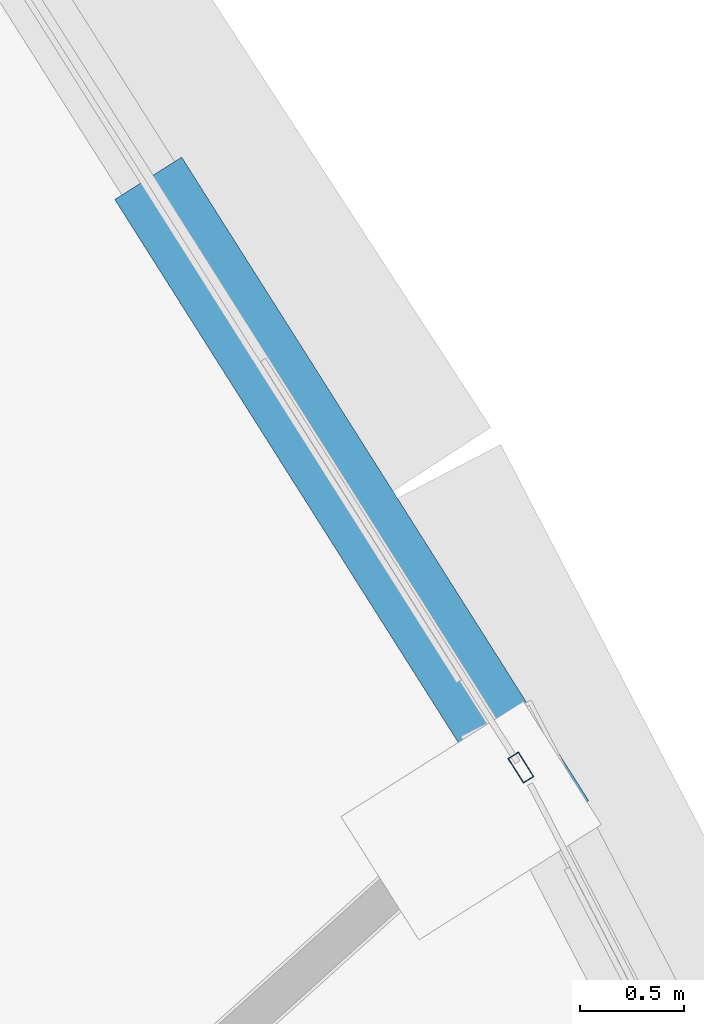
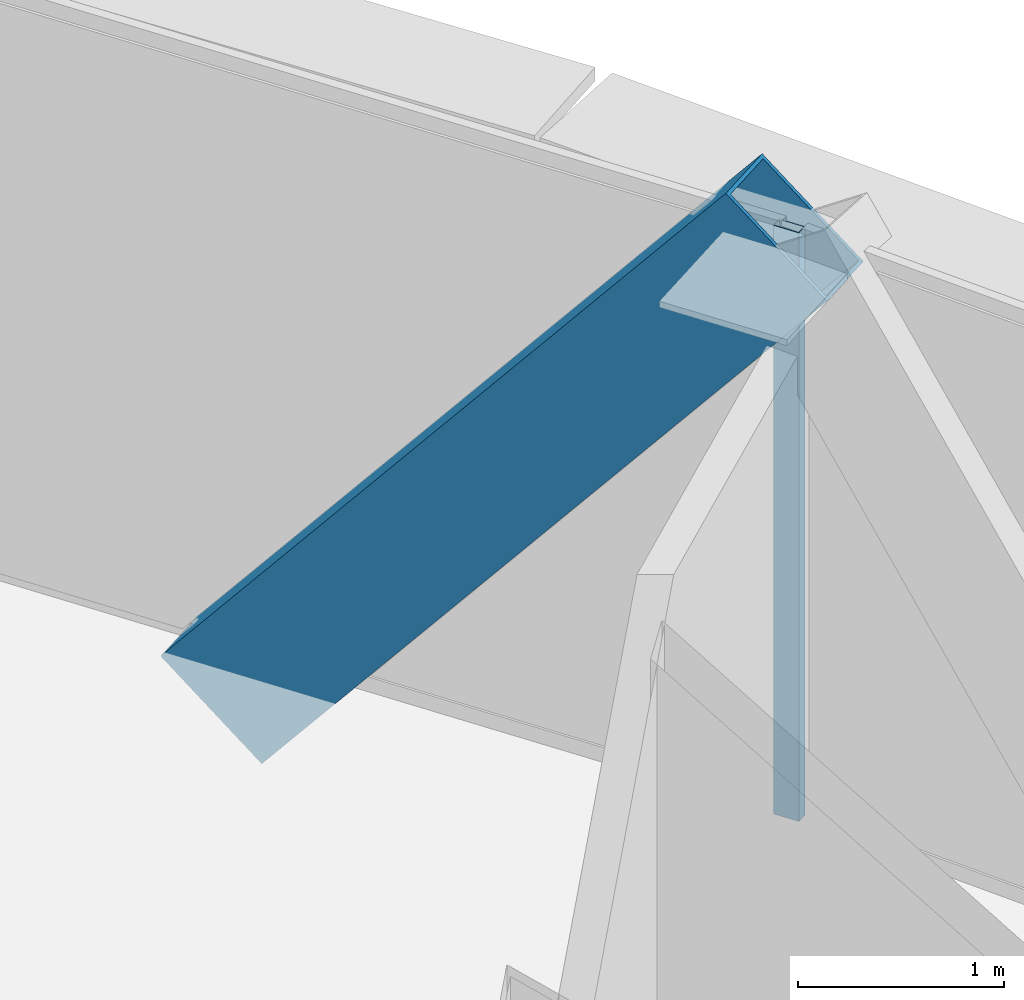
# One storey, part 18 of 34: 2 members, 1 element without a shape of its own.
"""IFC4 building model written with IfcOpenShell, lengths in metres."""

from ifc_helpers import new_model, si_unit, direction, frame, origin, origin_2d, place, context, subcontext, project, spatial, hollow_rectangle, extrude, source, transform, mapped, material, layer, layer_set, material_profile, profile_set, type_object, element, aggregate, save


model = new_model("IFC4")

# Units and contexts
model_context = context("Model", 3, precision=1e-05, world=origin(), true_north=direction((0.0, 1.0)))
body_context = subcontext(model_context, "Body", "Model", "MODEL_VIEW")
ifc_project = project(units=[si_unit("LENGTHUNIT", "METRE"), si_unit("AREAUNIT", "SQUARE_METRE"), si_unit("VOLUMEUNIT", "CUBIC_METRE"), si_unit("PLANEANGLEUNIT", "RADIAN"), si_unit("MASSUNIT", "GRAM", prefix="KILO"), si_unit("THERMODYNAMICTEMPERATUREUNIT", "KELVIN"), si_unit("POWERUNIT", "WATT")], contexts=[model_context])

# Site, building, storey
site_placement = place(None, origin())
site = spatial("IfcSite", under=ifc_project, at=site_placement, CompositionType="ELEMENT")
building_placement = place(site_placement, origin())
building = spatial("IfcBuilding", under=site, at=building_placement, Name="Yunzhuo Pagoda Commons", CompositionType="ELEMENT")
storey_placement = place(building_placement, frame((0.0, 0.0, 333.010009765625)))
storey = spatial("IfcBuildingStorey", under=building, at=storey_placement, Name="L83", CompositionType="ELEMENT", Elevation=333.010009765625)

# Member
ifc_material_1 = material(Name="Structural steel Q355B", Category="steel")
ifc_material_profile_1 = material_profile(ifc_material_1, hollow_rectangle(XDim=0.3798828125, YDim=0.719970703125, WallThickness=0.02001953125, at=origin_2d()), Name="Structural steel Q355B")
ifc_profile_set_1 = profile_set([ifc_material_profile_1], Name="Structural steel Q355B")
member_type_1 = type_object("IfcMemberType", Name="M-DL3 Brace BOX 720x380x20", PredefinedType="BRACE", material=ifc_profile_set_1)
shared_shape_1 = source(origin(), body_context, "Body", "SweptSolid", [
    extrude(hollow_rectangle(XDim=0.3798828125, YDim=0.719970703125, WallThickness=0.02001953125, at=origin_2d()), origin(), (0.0, 0.0, 1.0), 4.86474609375),
])
member_1_placement = place(storey_placement, frame((65.187255859375, 53.285888671875, -0.260009765625), z_axis=(0.340514655846, -0.538349405049, 0.770862949711), x_axis=(0.845131136899, 0.534559034573, 0.0)))
element("IfcMember", 1, at=member_1_placement, inside=storey, type_object=member_type_1, Name="L83 facade diamond brace F2.3L", PredefinedType="BRACE", context=body_context, shape_type="MappedRepresentation", body=[
    mapped(shared_shape_1, transform((0.0, 0.0, 0.0), scale=1.0)),
])

# Curtain wall, member
ifc_material_2 = material(Name="Anodized aluminium 6063-T6", Category="aluminium")
ifc_layer = layer(ifc_material_2, 0.139892578125)
ifc_layer_set = layer_set([ifc_layer], Name="Anodized aluminium 6063-T6")
curtain_wall_type = type_object("IfcCurtainWallType", Name="CW-HI High-Zone Ribbon Curtain Wall", PredefinedType="NOTDEFINED", material=ifc_layer_set)
curtain_wall_placement = place(storey_placement, origin())
curtain_wall = element("IfcCurtainWall", 2, at=curtain_wall_placement, inside=storey, type_object=curtain_wall_type, Name="L83 curtain wall CW-L83-F2B4", PredefinedType="NOTDEFINED")
ifc_material_profile_2 = material_profile(ifc_material_2, hollow_rectangle(XDim=0.06005859375, YDim=0.139892578125, WallThickness=0.00341796875, at=origin_2d()), Name="Anodized aluminium 6063-T6")
ifc_profile_set_2 = profile_set([ifc_material_profile_2], Name="Anodized aluminium 6063-T6")
member_type_2 = type_object("IfcMemberType", Name="CW-HI-M Mullion RHS 140x60x3.5", PredefinedType="MULLION", material=ifc_profile_set_2)
shared_shape_2 = source(origin(), body_context, "Body", "SweptSolid", [
    extrude(hollow_rectangle(XDim=0.06005859375, YDim=0.139892578125, WallThickness=0.00341796875, at=origin_2d()), origin(), (0.0, 0.0, 1.0), 3.489990234375),
])
member_2_placement = place(storey_placement, frame((66.82763671875, 50.6923828125, 0.0), z_axis=(0.0, 0.0, 1.0), x_axis=(-0.845148830397, -0.534531060349, 0.0)))
member_2 = element("IfcMember", 3, at=member_2_placement, type_object=member_type_2, Name="CW mullion 1", PredefinedType="MULLION", context=body_context, shape_type="MappedRepresentation", body=[
    mapped(shared_shape_2, transform((0.0, 0.0, 0.0), scale=1.0)),
])
aggregate(curtain_wall, [member_2])

save(model, "model.ifc")
